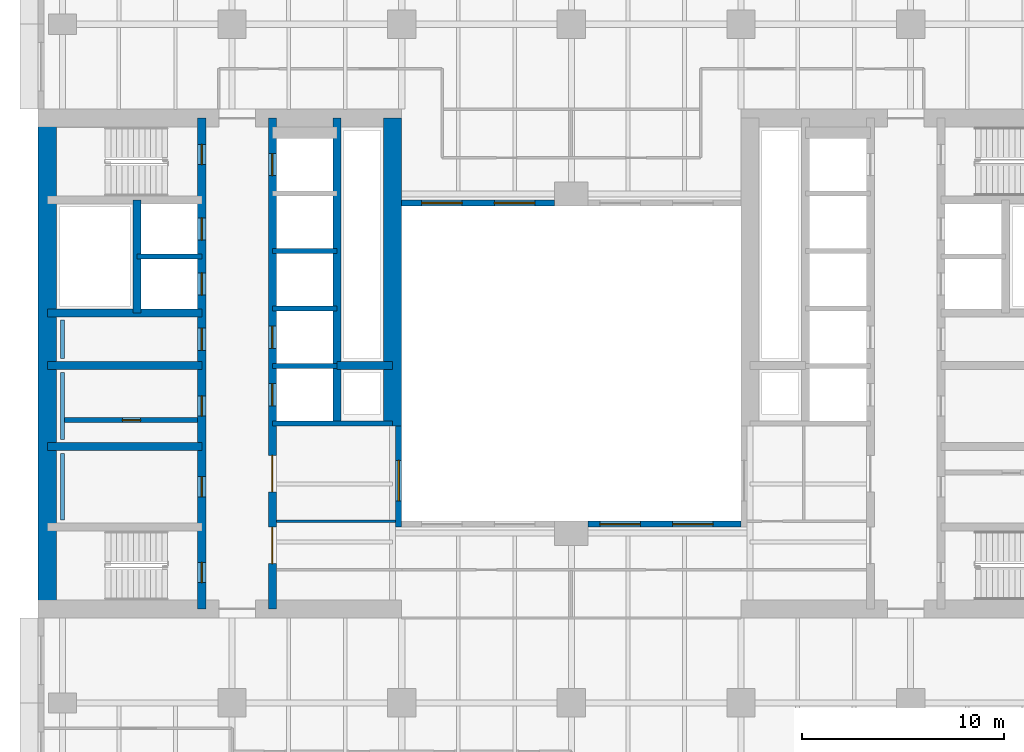
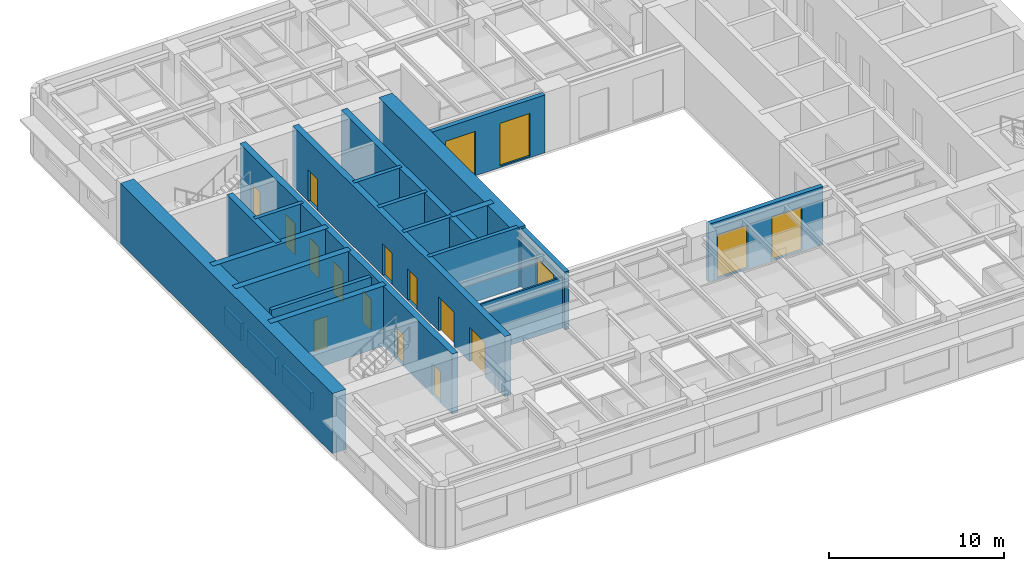
# One storey, part 4 of 11: 23 walls, 13 doors, 5 windows, 18 openings.
"""IFC4 building model written with IfcOpenShell, lengths in metres."""

from ifc_helpers import new_model, si_unit, direction, frame, frame_2d, origin, place, context, subcontext, project, spatial, rectangle, extrude, material, layer, layer_set, type_object, element, fill, save


model = new_model("IFC4")

# Units and contexts
model_context = context("Model", 3, precision=1e-05, world=origin(), true_north=direction((0.0, 1.0)))
body_context = subcontext(model_context, "Body", "Model", "MODEL_VIEW")
ifc_project = project(units=[si_unit("LENGTHUNIT", "METRE"), si_unit("AREAUNIT", "SQUARE_METRE"), si_unit("VOLUMEUNIT", "CUBIC_METRE"), si_unit("PLANEANGLEUNIT", "RADIAN"), si_unit("MASSUNIT", "GRAM", prefix="KILO")], contexts=[model_context])

# Site, building, storey
site_placement = place(None, origin())
site = spatial("IfcSite", under=ifc_project, at=site_placement, CompositionType="ELEMENT")
building_placement = place(site_placement, origin())
building = spatial("IfcBuilding", under=site, at=building_placement, Name="Claustro Exchange Tower", CompositionType="ELEMENT")
storey_placement = place(building_placement, frame((0.0, 0.0, 113.39990234375)))
storey = spatial("IfcBuildingStorey", under=building, at=storey_placement, Name="L25", CompositionType="ELEMENT", Elevation=113.39990234375)

# Wall
ifc_material_1 = material(Name="Laminated glass in aluminium frame", Category="aluminium")
ifc_layer_1 = layer(ifc_material_1, 0.1201171875)
ifc_layer_set_1 = layer_set([ifc_layer_1], Name="Laminated glass in aluminium frame")
wall_type_1 = type_object("IfcWallType", Name="P2 120 glazed partition", PredefinedType="PARTITIONING", material=ifc_layer_set_1)
wall_1_placement = place(storey_placement, frame((10.597900390625, 17.39990234375, 0.0), z_axis=(0.0, 0.0, 1.0), x_axis=(1.0, 0.0, 0.0)))
element("IfcWall", 1, at=wall_1_placement, inside=storey, type_object=wall_type_1, Name="Partition P2 L25", PredefinedType="PARTITIONING", context=body_context, shape_type="SweptSolid", body=[
    extrude(rectangle(XDim=5.904052734375, YDim=0.1201171875, at=frame_2d((2.9521484375, 0.0))), origin(), (0.0, 0.0, 1.0), 3.550048828125),
])

# Wall, opening, door
ifc_material_2 = material(Name="Concrete blockwork, rendered", Category="masonry")
ifc_layer_2 = layer(ifc_material_2, 0.25)
ifc_layer_set_2 = layer_set([ifc_layer_2], Name="Concrete blockwork, rendered")
wall_type_2 = type_object("IfcWallType", Name="P4 250 blockwork wall", PredefinedType="PARTITIONING", material=ifc_layer_set_2)
wall_2_placement = place(storey_placement, frame((0.10009765625, 22.39990234375, 0.0), z_axis=(0.0, 0.0, 1.0), x_axis=(1.0, 0.0, 0.0)))
wall_2 = element("IfcWall", 2, at=wall_2_placement, inside=storey, type_object=wall_type_2, Name="Partition P4 L25", PredefinedType="PARTITIONING", context=body_context, shape_type="SweptSolid", body=[
    extrude(rectangle(XDim=6.599853515625, YDim=0.25, at=frame_2d((3.2998046875, 0.0))), origin(), (0.0, 0.0, 1.0), 4.0),
])
opening_1_placement = place(wall_2_placement, frame((2.875, 0.0, 0.0)))
opening_1 = element("IfcOpeningElement", 3, at=opening_1_placement, cuts=wall_2, Name="Opening D5", PredefinedType="OPENING", context=body_context, shape_type="SweptSolid", body=[
    extrude(rectangle(XDim=0.89990234375, YDim=2.199951171875, at=frame_2d((0.449951171875, 1.10009765625))), frame((0.0, 0.135009765625, 0.0), z_axis=(0.0, -1.0, 0.0), x_axis=(1.0, 0.0, 0.0)), (0.0, 0.0, 1.0), 0.27001953125),
])
ifc_material_3 = material(Name="Steel door, painted", Category="steel")
door_type_1 = type_object("IfcDoorType", Name="D5 900 x 2200 store door", OperationType="SINGLE_SWING_LEFT", PredefinedType="DOOR", material=ifc_material_3)
door_1_placement = place(opening_1_placement, frame((0.89990234375, 0.0, 0.0), z_axis=(0.0, 0.0, 1.0), x_axis=(-1.0, 0.0, 0.0)))
door_1 = element("IfcDoor", 4, at=door_1_placement, inside=storey, type_object=door_type_1, Name="Store door D5 L25", OperationType="SINGLE_SWING_RIGHT", OverallHeight=2.199951171875, OverallWidth=0.89990234375, PredefinedType="DOOR", context=body_context, shape_type="SweptSolid", body=[
    extrude(rectangle(XDim=0.89990234375, YDim=2.199951171875, at=frame_2d((0.449951171875, 1.10009765625))), frame((0.0, 0.02490234375, 0.0), z_axis=(0.0, -1.0, 0.0), x_axis=(1.0, 0.0, 0.0)), (0.0, 0.0, 1.0), 0.050048828125),
])
fill(opening_1, door_1)

# Wall, opening, window
ifc_material_4 = material(Name="Concrete HA-40 (C40/50), precast, white cement, acid-etched", Category="concrete")
ifc_layer_3 = layer(ifc_material_4, 0.300048828125)
ifc_layer_set_3 = layer_set([ifc_layer_3], Name="Concrete HA-40 (C40/50), precast, white cement, acid-etched")
wall_type_3 = type_object("IfcWallType", Name="PC1 300 precast concrete pier panel", PredefinedType="SOLIDWALL", material=ifc_layer_set_3)
wall_3_placement = place(storey_placement, frame((16.64990234375, 17.10009765625, 0.0), z_axis=(0.0, 0.0, 1.0), x_axis=(0.0, 1.0, 0.0)))
wall_3 = element("IfcWall", 5, at=wall_3_placement, inside=storey, type_object=wall_type_3, Name="Precast pier panel PC1 L25", PredefinedType="SOLIDWALL", context=body_context, shape_type="SweptSolid", body=[
    extrude(rectangle(XDim=5.0, YDim=0.300048828125, at=frame_2d((2.5, 0.0))), origin(), (0.0, 0.0, 1.0), 4.050048828125),
])
opening_2_placement = place(wall_3_placement, frame((1.300048828125, 0.0, 0.10009765625)))
opening_2 = element("IfcOpeningElement", 6, at=opening_2_placement, cuts=wall_3, Name="Opening W-A", PredefinedType="OPENING", context=body_context, shape_type="SweptSolid", body=[
    extrude(rectangle(XDim=2.0, YDim=3.0, at=frame_2d((1.0, 1.5))), frame((0.0, 0.159912109375, 0.0), z_axis=(0.0, -1.0, 0.0), x_axis=(1.0, 0.0, 0.0)), (0.0, 0.0, 1.0), 0.320068359375),
])
ifc_material_5 = material(Name="Aluminium frame, clear double glazing", Category="aluminium")
window_type = type_object("IfcWindowType", Name="W-A 2000 x 3000 arcade window", PartitioningType="SINGLE_PANEL", PredefinedType="WINDOW", material=ifc_material_5)
window_1_placement = place(opening_2_placement, origin())
window_1 = element("IfcWindow", 7, at=window_1_placement, inside=storey, type_object=window_type, Name="Window W-A L25", OverallHeight=3.0, OverallWidth=2.0, PartitioningType="SINGLE_PANEL", PredefinedType="WINDOW", context=body_context, shape_type="SweptSolid", body=[
    extrude(rectangle(XDim=2.0, YDim=3.0, at=frame_2d((1.0, 1.5))), frame((0.0, 0.030029296875, 0.0), z_axis=(0.0, -1.0, 0.0), x_axis=(1.0, 0.0, 0.0)), (0.0, 0.0, 1.0), 0.06005859375),
])
fill(opening_2, window_1)

# Wall, openings, windows
wall_4_placement = place(storey_placement, frame((26.02490234375, 17.25, 0.0), z_axis=(0.0, 0.0, 1.0), x_axis=(1.0, 0.0, 0.0)))
wall_4 = element("IfcWall", 8, at=wall_4_placement, inside=storey, type_object=wall_type_3, Name="Precast pier panel PC1 L25", PredefinedType="SOLIDWALL", context=body_context, shape_type="SweptSolid", body=[
    extrude(rectangle(XDim=7.5751953125, YDim=0.300048828125, at=frame_2d((3.78759765625, 0.0))), origin(), (0.0, 0.0, 1.0), 4.050048828125),
])
opening_3_placement = place(wall_4_placement, frame((0.58740234375, 0.0, 0.10009765625)))
opening_3 = element("IfcOpeningElement", 9, at=opening_3_placement, cuts=wall_4, Name="Opening W-A", PredefinedType="OPENING", context=body_context, shape_type="SweptSolid", body=[
    extrude(rectangle(XDim=2.0, YDim=3.0, at=frame_2d((1.0, 1.5))), frame((0.0, 0.159912109375, 0.0), z_axis=(0.0, -1.0, 0.0), x_axis=(1.0, 0.0, 0.0)), (0.0, 0.0, 1.0), 0.320068359375),
])
opening_4_placement = place(wall_4_placement, frame((4.1875, 0.0, 0.10009765625)))
opening_4 = element("IfcOpeningElement", 10, at=opening_4_placement, cuts=wall_4, Name="Opening W-A", PredefinedType="OPENING", context=body_context, shape_type="SweptSolid", body=[
    extrude(rectangle(XDim=2.0, YDim=3.0, at=frame_2d((1.0, 1.5))), frame((0.0, 0.159912109375, 0.0), z_axis=(0.0, -1.0, 0.0), x_axis=(1.0, 0.0, 0.0)), (0.0, 0.0, 1.0), 0.320068359375),
])
window_2_placement = place(opening_3_placement, origin())
window_2 = element("IfcWindow", 11, at=window_2_placement, inside=storey, type_object=window_type, Name="Window W-A L25", OverallHeight=3.0, OverallWidth=2.0, PartitioningType="SINGLE_PANEL", PredefinedType="WINDOW", context=body_context, shape_type="SweptSolid", body=[
    extrude(rectangle(XDim=2.0, YDim=3.0, at=frame_2d((1.0, 1.5))), frame((0.0, 0.030029296875, 0.0), z_axis=(0.0, -1.0, 0.0), x_axis=(1.0, 0.0, 0.0)), (0.0, 0.0, 1.0), 0.06005859375),
])
fill(opening_3, window_2)
window_3_placement = place(opening_4_placement, origin())
window_3 = element("IfcWindow", 12, at=window_3_placement, inside=storey, type_object=window_type, Name="Window W-A L25", OverallHeight=3.0, OverallWidth=2.0, PartitioningType="SINGLE_PANEL", PredefinedType="WINDOW", context=body_context, shape_type="SweptSolid", body=[
    extrude(rectangle(XDim=2.0, YDim=3.0, at=frame_2d((1.0, 1.5))), frame((0.0, 0.030029296875, 0.0), z_axis=(0.0, -1.0, 0.0), x_axis=(1.0, 0.0, 0.0)), (0.0, 0.0, 1.0), 0.06005859375),
])
fill(opening_4, window_3)

wall_5_placement = place(storey_placement, frame((16.800048828125, 33.14990234375, 0.0), z_axis=(0.0, 0.0, 1.0), x_axis=(1.0, 0.0, 0.0)))
wall_5 = element("IfcWall", 13, at=wall_5_placement, inside=storey, type_object=wall_type_3, Name="Precast pier panel PC1 L25", PredefinedType="SOLIDWALL", context=body_context, shape_type="SweptSolid", body=[
    extrude(rectangle(XDim=7.574951171875, YDim=0.300048828125, at=frame_2d((3.78759765625, 0.0))), origin(), (0.0, 0.0, 1.0), 4.050048828125),
])
opening_5_placement = place(wall_5_placement, frame((0.987548828125, 0.0, 0.10009765625)))
opening_5 = element("IfcOpeningElement", 14, at=opening_5_placement, cuts=wall_5, Name="Opening W-A", PredefinedType="OPENING", context=body_context, shape_type="SweptSolid", body=[
    extrude(rectangle(XDim=2.0, YDim=3.0, at=frame_2d((1.0, 1.5))), frame((0.0, 0.159912109375, 0.0), z_axis=(0.0, -1.0, 0.0), x_axis=(1.0, 0.0, 0.0)), (0.0, 0.0, 1.0), 0.320068359375),
])
opening_6_placement = place(wall_5_placement, frame((4.58740234375, 0.0, 0.10009765625)))
opening_6 = element("IfcOpeningElement", 15, at=opening_6_placement, cuts=wall_5, Name="Opening W-A", PredefinedType="OPENING", context=body_context, shape_type="SweptSolid", body=[
    extrude(rectangle(XDim=2.0, YDim=3.0, at=frame_2d((1.0, 1.5))), frame((0.0, 0.159912109375, 0.0), z_axis=(0.0, -1.0, 0.0), x_axis=(1.0, 0.0, 0.0)), (0.0, 0.0, 1.0), 0.320068359375),
])
window_4_placement = place(opening_5_placement, origin())
window_4 = element("IfcWindow", 16, at=window_4_placement, inside=storey, type_object=window_type, Name="Window W-A L25", OverallHeight=3.0, OverallWidth=2.0, PartitioningType="SINGLE_PANEL", PredefinedType="WINDOW", context=body_context, shape_type="SweptSolid", body=[
    extrude(rectangle(XDim=2.0, YDim=3.0, at=frame_2d((1.0, 1.5))), frame((0.0, 0.030029296875, 0.0), z_axis=(0.0, -1.0, 0.0), x_axis=(1.0, 0.0, 0.0)), (0.0, 0.0, 1.0), 0.06005859375),
])
fill(opening_5, window_4)
window_5_placement = place(opening_6_placement, origin())
window_5 = element("IfcWindow", 17, at=window_5_placement, inside=storey, type_object=window_type, Name="Window W-A L25", OverallHeight=3.0, OverallWidth=2.0, PartitioningType="SINGLE_PANEL", PredefinedType="WINDOW", context=body_context, shape_type="SweptSolid", body=[
    extrude(rectangle(XDim=2.0, YDim=3.0, at=frame_2d((1.0, 1.5))), frame((0.0, 0.030029296875, 0.0), z_axis=(0.0, -1.0, 0.0), x_axis=(1.0, 0.0, 0.0)), (0.0, 0.0, 1.0), 0.06005859375),
])
fill(opening_6, window_5)

# Walls
ifc_material_6 = material(Name="Gypsum board on steel studs, tiled", Category="steel")
ifc_layer_4 = layer(ifc_material_6, 0.199951171875)
ifc_layer_set_4 = layer_set([ifc_layer_4], Name="Gypsum board on steel studs, tiled")
wall_type_4 = type_object("IfcWallType", Name="PW1 200 WC duct wall", PredefinedType="PLUMBINGWALL", material=ifc_layer_set_4)
for number, where, z_axis, x_axis, name in (
    (18, (0.0, 17.449951171875, 0.0), (0.0, 0.0, 1.0), (0.0, 1.0, 0.0), "WC duct wall PW1 L25"),
    (19, (0.0, 21.449951171875, 0.0), (0.0, 0.0, 1.0), (0.0, 1.0, 0.0), "WC duct wall PW1 L25"),
):
    element("IfcWall", number, at=place(storey_placement, frame(where, z_axis=z_axis, x_axis=x_axis)), inside=storey, type_object=wall_type_4, Name=name, PredefinedType="PLUMBINGWALL", context=body_context, shape_type="SweptSolid", body=[
        extrude(rectangle(XDim=3.300048828125, YDim=0.199951171875, at=frame_2d((1.64990234375, 0.0))), origin(), (0.0, 0.0, 1.0), 1.2001953125),
    ])
wall_6_placement = place(storey_placement, frame((0.0, 25.449951171875, 0.0), z_axis=(0.0, 0.0, 1.0), x_axis=(0.0, 1.0, 0.0)))
element("IfcWall", 20, at=wall_6_placement, inside=storey, type_object=wall_type_4, Name="WC duct wall PW1 L25", PredefinedType="PLUMBINGWALL", context=body_context, shape_type="SweptSolid", body=[
    extrude(rectangle(XDim=1.900146484375, YDim=0.199951171875, at=frame_2d((0.9501953125, 0.0))), origin(), (0.0, 0.0, 1.0), 1.2001953125),
])
ifc_material_7 = material(Name="Concrete HA-70 (C70/85)", Category="concrete")
ifc_layer_5 = layer(ifc_material_7, 0.89990234375)
ifc_layer_set_5 = layer_set([ifc_layer_5], Name="Concrete HA-70 (C70/85)")
wall_type_5 = type_object("IfcWallType", Name="SW1X 900 exposed core shear wall, board-marked face", PredefinedType="SHEAR", material=ifc_layer_set_5)
wall_7_placement = place(storey_placement, frame((-0.75, 13.050048828125, 0.0), z_axis=(0.0, 0.0, 1.0), x_axis=(0.0, 1.0, 0.0)))
element("IfcWall", 21, at=wall_7_placement, inside=storey, type_object=wall_type_5, Name="Core wall SW1X W core W face L25", PredefinedType="SHEAR", context=body_context, shape_type="SweptSolid", body=[
    extrude(rectangle(XDim=24.300048828125, YDim=0.89990234375, at=frame_2d((12.14990234375, 0.0))), origin(), (0.0, 0.0, 1.0), 4.2001953125),
])
wall_8_placement = place(storey_placement, frame((16.35009765625, 22.10009765625, 0.0), z_axis=(0.0, 0.0, 1.0), x_axis=(0.0, 1.0, 0.0)))
element("IfcWall", 22, at=wall_8_placement, inside=storey, type_object=wall_type_5, Name="Core wall SW1X W core E face L25", PredefinedType="SHEAR", context=body_context, shape_type="SweptSolid", body=[
    extrude(rectangle(XDim=15.25, YDim=0.89990234375, at=frame_2d((7.625, 0.0))), origin(), (0.0, 0.0, 1.0), 4.2001953125),
])

# Wall, openings, doors
ifc_material_8 = material(Name="Concrete HA-50 (C50/60)", Category="concrete")
ifc_layer_6 = layer(ifc_material_8, 0.39990234375)
ifc_layer_set_6 = layer_set([ifc_layer_6], Name="Concrete HA-50 (C50/60)")
wall_type_6 = type_object("IfcWallType", Name="SW4 400 internal core wall", PredefinedType="SHEAR", material=ifc_layer_set_6)
wall_9_placement = place(storey_placement, frame((6.89990234375, 13.050048828125, 0.0), z_axis=(0.0, 0.0, 1.0), x_axis=(0.0, 1.0, 0.0)))
wall_9 = element("IfcWall", 23, at=wall_9_placement, inside=storey, type_object=wall_type_6, Name="Internal core wall SW4 W core L25", PredefinedType="SHEAR", context=body_context, shape_type="SweptSolid", body=[
    extrude(rectangle(XDim=24.300048828125, YDim=0.39990234375, at=frame_2d((12.14990234375, 0.0))), origin(), (0.0, 0.0, 1.0), 4.2001953125),
])
opening_7_placement = place(wall_9_placement, frame((1.300048828125, 0.0, 0.0)))
opening_7 = element("IfcOpeningElement", 24, at=opening_7_placement, cuts=wall_9, Name="Opening D4", PredefinedType="OPENING", context=body_context, shape_type="SweptSolid", body=[
    extrude(rectangle(XDim=1.0, YDim=2.199951171875, at=frame_2d((0.5, 1.10009765625))), frame((0.0, 0.2099609375, 0.0), z_axis=(0.0, -1.0, 0.0), x_axis=(1.0, 0.0, 0.0)), (0.0, 0.0, 1.0), 0.419921875),
])
opening_8_placement = place(wall_9_placement, frame((22.0, 0.0, 0.0)))
opening_8 = element("IfcOpeningElement", 25, at=opening_8_placement, cuts=wall_9, Name="Opening D4", PredefinedType="OPENING", context=body_context, shape_type="SweptSolid", body=[
    extrude(rectangle(XDim=1.0, YDim=2.199951171875, at=frame_2d((0.5, 1.10009765625))), frame((0.0, 0.2099609375, 0.0), z_axis=(0.0, -1.0, 0.0), x_axis=(1.0, 0.0, 0.0)), (0.0, 0.0, 1.0), 0.419921875),
])
opening_9_placement = place(wall_9_placement, frame((5.550048828125, 0.0, 0.0)))
opening_9 = element("IfcOpeningElement", 26, at=opening_9_placement, cuts=wall_9, Name="Opening D1", PredefinedType="OPENING", context=body_context, shape_type="SweptSolid", body=[
    extrude(rectangle(XDim=1.0, YDim=2.199951171875, at=frame_2d((0.5, 1.10009765625))), frame((0.0, 0.2099609375, 0.0), z_axis=(0.0, -1.0, 0.0), x_axis=(1.0, 0.0, 0.0)), (0.0, 0.0, 1.0), 0.419921875),
])
opening_10_placement = place(wall_9_placement, frame((9.550048828125, 0.0, 0.0)))
opening_10 = element("IfcOpeningElement", 27, at=opening_10_placement, cuts=wall_9, Name="Opening D1", PredefinedType="OPENING", context=body_context, shape_type="SweptSolid", body=[
    extrude(rectangle(XDim=1.0, YDim=2.199951171875, at=frame_2d((0.5, 1.10009765625))), frame((0.0, 0.2099609375, 0.0), z_axis=(0.0, -1.0, 0.0), x_axis=(1.0, 0.0, 0.0)), (0.0, 0.0, 1.0), 0.419921875),
])
opening_11_placement = place(wall_9_placement, frame((12.800048828125, 0.0, 0.0)))
opening_11 = element("IfcOpeningElement", 28, at=opening_11_placement, cuts=wall_9, Name="Opening D10", PredefinedType="OPENING", context=body_context, shape_type="SweptSolid", body=[
    extrude(rectangle(XDim=1.10009765625, YDim=2.199951171875, at=frame_2d((0.550048828125, 1.10009765625))), frame((0.0, 0.2099609375, 0.0), z_axis=(0.0, -1.0, 0.0), x_axis=(1.0, 0.0, 0.0)), (0.0, 0.0, 1.0), 0.419921875),
])
opening_12_placement = place(wall_9_placement, frame((15.53759765625, 0.0, 0.0)))
opening_12 = element("IfcOpeningElement", 29, at=opening_12_placement, cuts=wall_9, Name="Opening LD", PredefinedType="OPENING", context=body_context, shape_type="SweptSolid", body=[
    extrude(rectangle(XDim=1.10009765625, YDim=2.199951171875, at=frame_2d((0.550048828125, 1.10009765625))), frame((0.0, 0.2099609375, 0.0), z_axis=(0.0, -1.0, 0.0), x_axis=(1.0, 0.0, 0.0)), (0.0, 0.0, 1.0), 0.419921875),
])
opening_13_placement = place(wall_9_placement, frame((18.262451171875, 0.0, 0.0)))
opening_13 = element("IfcOpeningElement", 30, at=opening_13_placement, cuts=wall_9, Name="Opening LD", PredefinedType="OPENING", context=body_context, shape_type="SweptSolid", body=[
    extrude(rectangle(XDim=1.10009765625, YDim=2.199951171875, at=frame_2d((0.550048828125, 1.10009765625))), frame((0.0, 0.2099609375, 0.0), z_axis=(0.0, -1.0, 0.0), x_axis=(1.0, 0.0, 0.0)), (0.0, 0.0, 1.0), 0.419921875),
])
ifc_material_9 = material(Name="Timber door, oak veneer", Category="wood")
door_type_2 = type_object("IfcDoorType", Name="D1 1000 x 2200 single door", OperationType="SINGLE_SWING_LEFT", PredefinedType="DOOR", material=ifc_material_9)
door_2_placement = place(opening_9_placement, origin())
door_2 = element("IfcDoor", 31, at=door_2_placement, inside=storey, type_object=door_type_2, Name="Door D1 L25", OperationType="SINGLE_SWING_RIGHT", OverallHeight=2.199951171875, OverallWidth=1.0, PredefinedType="DOOR", context=body_context, shape_type="SweptSolid", body=[
    extrude(rectangle(XDim=1.0, YDim=2.199951171875, at=frame_2d((0.5, 1.10009765625))), frame((0.0, 0.02490234375, 0.0), z_axis=(0.0, -1.0, 0.0), x_axis=(1.0, 0.0, 0.0)), (0.0, 0.0, 1.0), 0.050048828125),
])
fill(opening_9, door_2)
door_3_placement = place(opening_10_placement, origin())
door_3 = element("IfcDoor", 32, at=door_3_placement, inside=storey, type_object=door_type_2, Name="Door D1 L25", OperationType="SINGLE_SWING_LEFT", OverallHeight=2.199951171875, OverallWidth=1.0, PredefinedType="DOOR", context=body_context, shape_type="SweptSolid", body=[
    extrude(rectangle(XDim=1.0, YDim=2.199951171875, at=frame_2d((0.5, 1.10009765625))), frame((0.0, 0.02490234375, 0.0), z_axis=(0.0, -1.0, 0.0), x_axis=(1.0, 0.0, 0.0)), (0.0, 0.0, 1.0), 0.050048828125),
])
fill(opening_10, door_3)
ifc_material_10 = material(Name="Timber door, oak veneer", Category="wood")
door_type_3 = type_object("IfcDoorType", Name="D10 1100 x 2200 accessible WC door", OperationType="SINGLE_SWING_LEFT", PredefinedType="DOOR", material=ifc_material_10)
door_4_placement = place(opening_11_placement, frame((1.10009765625, 0.0, 0.0), z_axis=(0.0, 0.0, 1.0), x_axis=(-1.0, 0.0, 0.0)))
door_4 = element("IfcDoor", 33, at=door_4_placement, inside=storey, type_object=door_type_3, Name="Accessible WC door D10 L25", OperationType="SINGLE_SWING_LEFT", OverallHeight=2.199951171875, OverallWidth=1.10009765625, PredefinedType="DOOR", context=body_context, shape_type="SweptSolid", body=[
    extrude(rectangle(XDim=1.10009765625, YDim=2.199951171875, at=frame_2d((0.550048828125, 1.10009765625))), frame((0.0, 0.02490234375, 0.0), z_axis=(0.0, -1.0, 0.0), x_axis=(1.0, 0.0, 0.0)), (0.0, 0.0, 1.0), 0.050048828125),
])
fill(opening_11, door_4)
ifc_material_11 = material(Name="Steel fire door, painted", Category="steel")
door_type_4 = type_object("IfcDoorType", Name="D4 1000 x 2200 fire-rated stair door", OperationType="SINGLE_SWING_LEFT", PredefinedType="DOOR", material=ifc_material_11)
door_5_placement = place(opening_7_placement, origin())
door_5 = element("IfcDoor", 34, at=door_5_placement, inside=storey, type_object=door_type_4, Name="Stair door D4 L25", OperationType="SINGLE_SWING_LEFT", OverallHeight=2.199951171875, OverallWidth=1.0, PredefinedType="DOOR", context=body_context, shape_type="SweptSolid", body=[
    extrude(rectangle(XDim=1.0, YDim=2.199951171875, at=frame_2d((0.5, 1.10009765625))), frame((0.0, 0.02490234375, 0.0), z_axis=(0.0, -1.0, 0.0), x_axis=(1.0, 0.0, 0.0)), (0.0, 0.0, 1.0), 0.050048828125),
])
fill(opening_7, door_5)
door_6_placement = place(opening_8_placement, origin())
door_6 = element("IfcDoor", 35, at=door_6_placement, inside=storey, type_object=door_type_4, Name="Stair door D4 L25", OperationType="SINGLE_SWING_RIGHT", OverallHeight=2.199951171875, OverallWidth=1.0, PredefinedType="DOOR", context=body_context, shape_type="SweptSolid", body=[
    extrude(rectangle(XDim=1.0, YDim=2.199951171875, at=frame_2d((0.5, 1.10009765625))), frame((0.0, 0.02490234375, 0.0), z_axis=(0.0, -1.0, 0.0), x_axis=(1.0, 0.0, 0.0)), (0.0, 0.0, 1.0), 0.050048828125),
])
fill(opening_8, door_6)
ifc_material_12 = material(Name="Stainless steel sliding door", Category="steel")
door_type_5 = type_object("IfcDoorType", Name="LD 1100 x 2200 lift landing door", OperationType="DOUBLE_DOOR_SLIDING", PredefinedType="DOOR", material=ifc_material_12)
door_7_placement = place(opening_12_placement, origin())
door_7 = element("IfcDoor", 36, at=door_7_placement, inside=storey, type_object=door_type_5, Name="Lift landing door LEW1 LD L25", OperationType="DOUBLE_DOOR_SLIDING", OverallHeight=2.199951171875, OverallWidth=1.10009765625, PredefinedType="DOOR", context=body_context, shape_type="SweptSolid", body=[
    extrude(rectangle(XDim=1.10009765625, YDim=2.199951171875, at=frame_2d((0.550048828125, 1.10009765625))), frame((0.0, 0.02490234375, 0.0), z_axis=(0.0, -1.0, 0.0), x_axis=(1.0, 0.0, 0.0)), (0.0, 0.0, 1.0), 0.050048828125),
])
fill(opening_12, door_7)
door_8_placement = place(opening_13_placement, origin())
door_8 = element("IfcDoor", 37, at=door_8_placement, inside=storey, type_object=door_type_5, Name="Lift landing door LEW2 LD L25", OperationType="DOUBLE_DOOR_SLIDING", OverallHeight=2.199951171875, OverallWidth=1.10009765625, PredefinedType="DOOR", context=body_context, shape_type="SweptSolid", body=[
    extrude(rectangle(XDim=1.10009765625, YDim=2.199951171875, at=frame_2d((0.550048828125, 1.10009765625))), frame((0.0, 0.02490234375, 0.0), z_axis=(0.0, -1.0, 0.0), x_axis=(1.0, 0.0, 0.0)), (0.0, 0.0, 1.0), 0.050048828125),
])
fill(opening_13, door_8)

wall_10_placement = place(storey_placement, frame((10.39990234375, 13.050048828125, 0.0), z_axis=(0.0, 0.0, 1.0), x_axis=(0.0, 1.0, 0.0)))
wall_10 = element("IfcWall", 38, at=wall_10_placement, inside=storey, type_object=wall_type_6, Name="Internal core wall SW4 W core L25", PredefinedType="SHEAR", context=body_context, shape_type="SweptSolid", body=[
    extrude(rectangle(XDim=24.300048828125, YDim=0.39990234375, at=frame_2d((12.14990234375, 0.0))), origin(), (0.0, 0.0, 1.0), 4.2001953125),
])
opening_14_placement = place(wall_10_placement, frame((10.050048828125, 0.0, 0.0)))
opening_14 = element("IfcOpeningElement", 39, at=opening_14_placement, cuts=wall_10, Name="Opening LD", PredefinedType="OPENING", context=body_context, shape_type="SweptSolid", body=[
    extrude(rectangle(XDim=1.10009765625, YDim=2.199951171875, at=frame_2d((0.550048828125, 1.10009765625))), frame((0.0, 0.2099609375, 0.0), z_axis=(0.0, -1.0, 0.0), x_axis=(1.0, 0.0, 0.0)), (0.0, 0.0, 1.0), 0.419921875),
])
opening_15_placement = place(wall_10_placement, frame((12.89990234375, 0.0, 0.0)))
opening_15 = element("IfcOpeningElement", 40, at=opening_15_placement, cuts=wall_10, Name="Opening LD", PredefinedType="OPENING", context=body_context, shape_type="SweptSolid", body=[
    extrude(rectangle(XDim=1.10009765625, YDim=2.199951171875, at=frame_2d((0.550048828125, 1.10009765625))), frame((0.0, 0.2099609375, 0.0), z_axis=(0.0, -1.0, 0.0), x_axis=(1.0, 0.0, 0.0)), (0.0, 0.0, 1.0), 0.419921875),
])
opening_16_placement = place(wall_10_placement, frame((21.449951171875, 0.0, 0.0)))
opening_16 = element("IfcOpeningElement", 41, at=opening_16_placement, cuts=wall_10, Name="Opening LD", PredefinedType="OPENING", context=body_context, shape_type="SweptSolid", body=[
    extrude(rectangle(XDim=1.10009765625, YDim=2.199951171875, at=frame_2d((0.550048828125, 1.10009765625))), frame((0.0, 0.2099609375, 0.0), z_axis=(0.0, -1.0, 0.0), x_axis=(1.0, 0.0, 0.0)), (0.0, 0.0, 1.0), 0.419921875),
])
opening_17_placement = place(wall_10_placement, frame((2.25, 0.0, 0.0)))
opening_17 = element("IfcOpeningElement", 42, at=opening_17_placement, cuts=wall_10, Name="Opening D3", PredefinedType="OPENING", context=body_context, shape_type="SweptSolid", body=[
    extrude(rectangle(XDim=1.800048828125, YDim=2.39990234375, at=frame_2d((0.89990234375, 1.199951171875))), frame((0.0, 0.2099609375, 0.0), z_axis=(0.0, -1.0, 0.0), x_axis=(1.0, 0.0, 0.0)), (0.0, 0.0, 1.0), 0.419921875),
])
opening_18_placement = place(wall_10_placement, frame((5.800048828125, 0.0, 0.0)))
opening_18 = element("IfcOpeningElement", 43, at=opening_18_placement, cuts=wall_10, Name="Opening D3", PredefinedType="OPENING", context=body_context, shape_type="SweptSolid", body=[
    extrude(rectangle(XDim=1.800048828125, YDim=2.39990234375, at=frame_2d((0.89990234375, 1.199951171875))), frame((0.0, 0.2099609375, 0.0), z_axis=(0.0, -1.0, 0.0), x_axis=(1.0, 0.0, 0.0)), (0.0, 0.0, 1.0), 0.419921875),
])
ifc_material_13 = material(Name="Steel fire door, painted", Category="steel")
door_type_6 = type_object("IfcDoorType", Name="D3 1800 x 2400 fire-rated lobby double door", OperationType="DOUBLE_DOOR_SINGLE_SWING", PredefinedType="DOOR", material=ifc_material_13)
door_9_placement = place(opening_17_placement, origin())
door_9 = element("IfcDoor", 44, at=door_9_placement, inside=storey, type_object=door_type_6, Name="Core zone door D3 L25", OperationType="DOUBLE_DOOR_SINGLE_SWING", OverallHeight=2.39990234375, OverallWidth=1.800048828125, PredefinedType="DOOR", context=body_context, shape_type="SweptSolid", body=[
    extrude(rectangle(XDim=1.800048828125, YDim=2.39990234375, at=frame_2d((0.89990234375, 1.199951171875))), frame((0.0, 0.02490234375, 0.0), z_axis=(0.0, -1.0, 0.0), x_axis=(1.0, 0.0, 0.0)), (0.0, 0.0, 1.0), 0.050048828125),
])
fill(opening_17, door_9)
door_10_placement = place(opening_18_placement, frame((1.800048828125, 0.0, 0.0), z_axis=(0.0, 0.0, 1.0), x_axis=(-1.0, 0.0, 0.0)))
door_10 = element("IfcDoor", 45, at=door_10_placement, inside=storey, type_object=door_type_6, Name="Core zone door D3 L25", OperationType="DOUBLE_DOOR_SINGLE_SWING", OverallHeight=2.39990234375, OverallWidth=1.800048828125, PredefinedType="DOOR", context=body_context, shape_type="SweptSolid", body=[
    extrude(rectangle(XDim=1.800048828125, YDim=2.39990234375, at=frame_2d((0.89990234375, 1.199951171875))), frame((0.0, 0.02490234375, 0.0), z_axis=(0.0, -1.0, 0.0), x_axis=(1.0, 0.0, 0.0)), (0.0, 0.0, 1.0), 0.050048828125),
])
fill(opening_18, door_10)
door_11_placement = place(opening_14_placement, origin())
door_11 = element("IfcDoor", 46, at=door_11_placement, inside=storey, type_object=door_type_5, Name="Lift landing door LMW1 LD L25", OperationType="DOUBLE_DOOR_SLIDING", OverallHeight=2.199951171875, OverallWidth=1.10009765625, PredefinedType="DOOR", context=body_context, shape_type="SweptSolid", body=[
    extrude(rectangle(XDim=1.10009765625, YDim=2.199951171875, at=frame_2d((0.550048828125, 1.10009765625))), frame((0.0, 0.02490234375, 0.0), z_axis=(0.0, -1.0, 0.0), x_axis=(1.0, 0.0, 0.0)), (0.0, 0.0, 1.0), 0.050048828125),
])
fill(opening_14, door_11)
door_12_placement = place(opening_15_placement, origin())
door_12 = element("IfcDoor", 47, at=door_12_placement, inside=storey, type_object=door_type_5, Name="Lift landing door LMW2 LD L25", OperationType="DOUBLE_DOOR_SLIDING", OverallHeight=2.199951171875, OverallWidth=1.10009765625, PredefinedType="DOOR", context=body_context, shape_type="SweptSolid", body=[
    extrude(rectangle(XDim=1.10009765625, YDim=2.199951171875, at=frame_2d((0.550048828125, 1.10009765625))), frame((0.0, 0.02490234375, 0.0), z_axis=(0.0, -1.0, 0.0), x_axis=(1.0, 0.0, 0.0)), (0.0, 0.0, 1.0), 0.050048828125),
])
fill(opening_15, door_12)
door_13_placement = place(opening_16_placement, origin())
door_13 = element("IfcDoor", 48, at=door_13_placement, inside=storey, type_object=door_type_5, Name="Lift landing door LSW1 LD L25", OperationType="DOUBLE_DOOR_SLIDING", OverallHeight=2.199951171875, OverallWidth=1.10009765625, PredefinedType="DOOR", context=body_context, shape_type="SweptSolid", body=[
    extrude(rectangle(XDim=1.10009765625, YDim=2.199951171875, at=frame_2d((0.550048828125, 1.10009765625))), frame((0.0, 0.02490234375, 0.0), z_axis=(0.0, -1.0, 0.0), x_axis=(1.0, 0.0, 0.0)), (0.0, 0.0, 1.0), 0.050048828125),
])
fill(opening_16, door_13)

# Walls
wall_11_placement = place(storey_placement, frame((13.60009765625, 22.22509765625, 0.0), z_axis=(0.0, 0.0, 1.0), x_axis=(0.0, 1.0, 0.0)))
element("IfcWall", 49, at=wall_11_placement, inside=storey, type_object=wall_type_6, Name="Internal core wall SW4 W core L25", PredefinedType="SHEAR", context=body_context, shape_type="SweptSolid", body=[
    extrude(rectangle(XDim=15.125, YDim=0.39990234375, at=frame_2d((7.5625, 0.0))), origin(), (0.0, 0.0, 1.0), 4.2001953125),
])
for number, where, z_axis, x_axis, name in (
    (50, (-0.75, 21.10009765625, 0.0), (0.0, 0.0, 1.0), (1.0, 0.0, 0.0), "Internal core wall SW4 W core L25"),
    (51, (-0.75, 25.10009765625, 0.0), (0.0, 0.0, 1.0), (1.0, 0.0, 0.0), "Internal core wall SW4 W core L25"),
    (52, (-0.75, 27.699951171875, 0.0), (0.0, 0.0, 1.0), (1.0, 0.0, 0.0), "Internal core wall SW4 W core L25"),
):
    element("IfcWall", number, at=place(storey_placement, frame(where, z_axis=z_axis, x_axis=x_axis)), inside=storey, type_object=wall_type_6, Name=name, PredefinedType="SHEAR", context=body_context, shape_type="SweptSolid", body=[
        extrude(rectangle(XDim=7.64990234375, YDim=0.39990234375, at=frame_2d((3.824951171875, 0.0))), origin(), (0.0, 0.0, 1.0), 4.2001953125),
    ])
wall_12_placement = place(storey_placement, frame((3.699951171875, 27.699951171875, 0.0), z_axis=(0.0, 0.0, 1.0), x_axis=(0.0, 1.0, 0.0)))
element("IfcWall", 53, at=wall_12_placement, inside=storey, type_object=wall_type_6, Name="Internal core wall SW4 W core L25", PredefinedType="SHEAR", context=body_context, shape_type="SweptSolid", body=[
    extrude(rectangle(XDim=5.60009765625, YDim=0.39990234375, at=frame_2d((2.800048828125, 0.0))), origin(), (0.0, 0.0, 1.0), 4.2001953125),
])
wall_13_placement = place(storey_placement, frame((13.60009765625, 25.10009765625, 0.0), z_axis=(0.0, 0.0, 1.0), x_axis=(1.0, 0.0, 0.0)))
element("IfcWall", 54, at=wall_13_placement, inside=storey, type_object=wall_type_6, Name="Internal core wall SW4 W core L25", PredefinedType="SHEAR", context=body_context, shape_type="SweptSolid", body=[
    extrude(rectangle(XDim=2.75, YDim=0.39990234375, at=frame_2d((1.375, 0.0))), origin(), (0.0, 0.0, 1.0), 4.2001953125),
])
ifc_material_14 = material(Name="Concrete HA-50 (C50/60)", Category="concrete")
ifc_layer_7 = layer(ifc_material_14, 0.25)
ifc_layer_set_7 = layer_set([ifc_layer_7], Name="Concrete HA-50 (C50/60)")
wall_type_7 = type_object("IfcWallType", Name="SW5 250 lift shaft divider wall", PredefinedType="SHEAR", material=ifc_layer_set_7)
wall_14_placement = place(storey_placement, frame((3.699951171875, 30.5, 0.0), z_axis=(0.0, 0.0, 1.0), x_axis=(1.0, 0.0, 0.0)))
element("IfcWall", 55, at=wall_14_placement, inside=storey, type_object=wall_type_7, Name="Lift shaft wall W core L25", PredefinedType="SHEAR", context=body_context, shape_type="SweptSolid", body=[
    extrude(rectangle(XDim=3.199951171875, YDim=0.25, at=frame_2d((1.60009765625, 0.0))), origin(), (0.0, 0.0, 1.0), 4.2001953125),
])
wall_15_placement = place(storey_placement, frame((10.39990234375, 22.22509765625, 0.0), z_axis=(0.0, 0.0, 1.0), x_axis=(1.0, 0.0, 0.0)))
element("IfcWall", 56, at=wall_15_placement, inside=storey, type_object=wall_type_7, Name="Core step wall W core L25", PredefinedType="SHEAR", context=body_context, shape_type="SweptSolid", body=[
    extrude(rectangle(XDim=5.9501953125, YDim=0.25, at=frame_2d((2.97509765625, 0.0))), origin(), (0.0, 0.0, 1.0), 4.2001953125),
])
for number, where, z_axis, x_axis, name in (
    (57, (10.39990234375, 25.074951171875, 0.0), (0.0, 0.0, 1.0), (1.0, 0.0, 0.0), "Lift shaft wall W core L25"),
    (58, (10.39990234375, 27.925048828125, 0.0), (0.0, 0.0, 1.0), (1.0, 0.0, 0.0), "Lift shaft wall W core L25"),
    (59, (10.39990234375, 30.77490234375, 0.0), (0.0, 0.0, 1.0), (1.0, 0.0, 0.0), "Lift shaft wall W core L25"),
):
    element("IfcWall", number, at=place(storey_placement, frame(where, z_axis=z_axis, x_axis=x_axis)), inside=storey, type_object=wall_type_7, Name=name, PredefinedType="SHEAR", context=body_context, shape_type="SweptSolid", body=[
        extrude(rectangle(XDim=3.2001953125, YDim=0.25, at=frame_2d((1.60009765625, 0.0))), origin(), (0.0, 0.0, 1.0), 4.2001953125),
    ])

save(model, "model.ifc")
